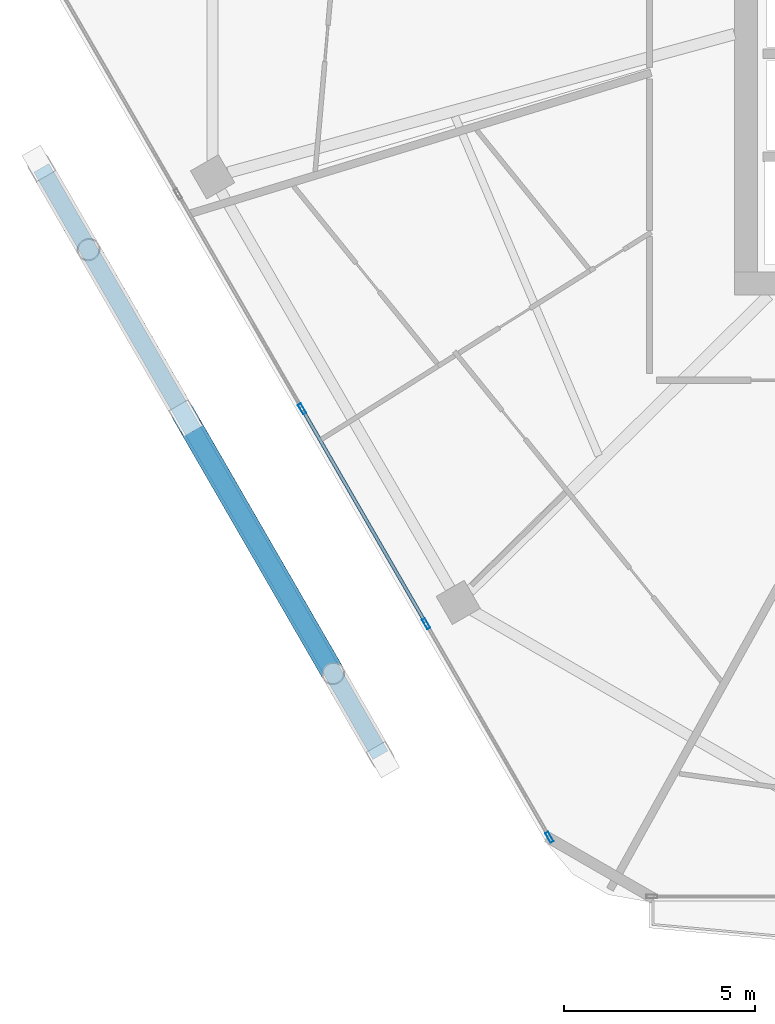
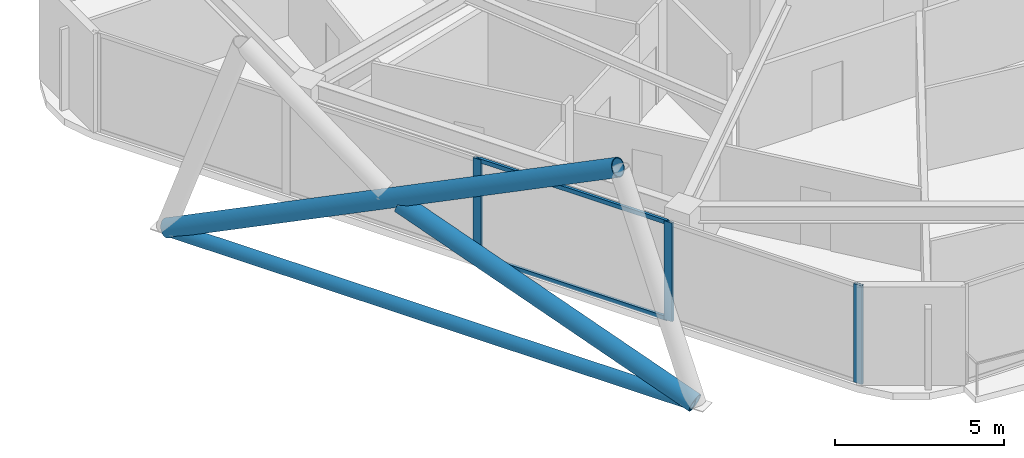
# One storey, part 2 of 27: 8 members, 1 element without a shape of its own.
"""IFC4 building model written with IfcOpenShell, lengths in metres."""

import ifcopenshell
import ifcopenshell.guid

model = None  # the IFC model being written
_history = None  # IfcOwnerHistory: only IFC2X3 demands one
_inside = {}  # id of a spatial element -> (the spatial element, [elements in it])
_under = {}  # id of a project, library or spatial element -> (it, [spatial elements below it])
_declared = {}  # id of a project -> (the project, [libraries it declares])
_typed = {}  # id of a type object -> (the type object, [elements of that type])
_made_of = {}  # id of a material, layer set ... -> (it, [elements and type objects made of it])


def new_model(schema):
    """Start an empty IFC model of exactly this schema.

    Asked for "IFC4X3", IfcOpenShell would pick the latest addendum, in which some entities
    have other attributes; the version numbers below select the first issue.
    IFC2X3 requires an IfcOwnerHistory on every rooted entity: one is made here for all.
    """
    global model, _history
    if schema == "IFC4X3":
        model = ifcopenshell.file(schema_version=(4, 3, 0, 0))
    else:
        model = ifcopenshell.file(schema=schema)
    _inside.clear()
    _under.clear()
    _declared.clear()
    _typed.clear()
    _made_of.clear()
    _history = None
    if model.schema == "IFC2X3":
        org = make("IfcOrganization", Name="unknown")
        user = make(
            "IfcPersonAndOrganization",
            ThePerson=make("IfcPerson", FamilyName="unknown"),
            TheOrganization=org,
        )
        app = make(
            "IfcApplication",
            ApplicationDeveloper=org,
            Version="unknown",
            ApplicationFullName="unknown",
            ApplicationIdentifier="unknown",
        )
        _history = make(
            "IfcOwnerHistory",
            OwningUser=user,
            OwningApplication=app,
            ChangeAction="ADDED",
            CreationDate=0,
        )
    return model


def make(cls, **values):
    """One entity of the class cls with the attributes given. An attribute that is None is left unset."""
    return model.create_entity(
        cls, **{name: value for name, value in values.items() if value is not None}
    )


def rooted(cls, **values):
    """An entity with a GlobalId (a new one), such as an element, a storey or a relation."""
    return make(cls, GlobalId=ifcopenshell.guid.new(), OwnerHistory=_history, **values)


def si_unit(unit_type, name, prefix=None):
    """IfcSIUnit, for example si_unit("LENGTHUNIT", "METRE", prefix="MILLI")."""
    return make("IfcSIUnit", UnitType=unit_type, Prefix=prefix, Name=name)


def assignment(units):
    """IfcUnitAssignment: the units of a project."""
    return None if units is None else make("IfcUnitAssignment", Units=units)


def point(xyz):
    """IfcCartesianPoint."""
    return None if xyz is None else make("IfcCartesianPoint", Coordinates=xyz)


def direction(xyz):
    """IfcDirection."""
    return None if xyz is None else make("IfcDirection", DirectionRatios=xyz)


def frame(location, z_axis=None, x_axis=None):
    """IfcAxis2Placement3D, a coordinate frame: its origin and axes. An axis left out is left unset."""
    return make(
        "IfcAxis2Placement3D",
        Location=point(location),
        Axis=direction(z_axis),
        RefDirection=direction(x_axis),
    )


def frame_2d(location, x_axis=None):
    """IfcAxis2Placement2D, a coordinate frame in the plane: its origin and x axis."""
    return make(
        "IfcAxis2Placement2D", Location=point(location), RefDirection=direction(x_axis)
    )


def origin():
    """The frame at (0, 0, 0) with its axes left unset."""
    return frame((0.0, 0.0, 0.0))


def origin_2d():
    """The frame at (0, 0) in the plane with its x axis left unset."""
    return frame_2d((0.0, 0.0))


def place(relative_to, where):
    """IfcLocalPlacement: puts the frame where relative to a parent placement (None: the world)."""
    return make(
        "IfcLocalPlacement", PlacementRelTo=relative_to, RelativePlacement=where
    )


def context(
    kind, dimensions, precision=None, world=None, true_north=None, identifier=None
):
    """IfcGeometricRepresentationContext, for example the 3D "Model" context."""
    return make(
        "IfcGeometricRepresentationContext",
        ContextIdentifier=identifier,
        ContextType=kind,
        CoordinateSpaceDimension=dimensions,
        Precision=precision,
        WorldCoordinateSystem=world,
        TrueNorth=true_north,
    )


def subcontext(parent, identifier, kind, view, scale=None):
    """IfcGeometricRepresentationSubContext, for example "Body" below "Model"."""
    return make(
        "IfcGeometricRepresentationSubContext",
        ContextIdentifier=identifier,
        ContextType=kind,
        ParentContext=parent,
        TargetScale=scale,
        TargetView=view,
    )


def project(units=None, contexts=None):
    """IfcProject with its units and contexts."""
    return rooted(
        "IfcProject",
        Name="project",
        RepresentationContexts=contexts,
        UnitsInContext=assignment(units),
    )


def spatial(cls, under=None, at=None, **own):
    """A site, building, storey or space (cls), placed at a placement, below another one or the project."""
    s = rooted(cls, ObjectPlacement=at, **own)
    if under is not None:
        _under.setdefault(under.id(), (under, []))[1].append(s)
    return s


def profile(cls, at=None, kind="AREA", **sizes):
    """A parametric profile (cls). Its sizes go by their IFC names, for example OverallWidth=200.0."""
    return make(cls, ProfileType=kind, Position=at, **sizes)


def hollow_rectangle(**sizes):
    """IfcRectangleHollowProfileDef."""
    return profile("IfcRectangleHollowProfileDef", **sizes)


def hollow_circle(**sizes):
    """IfcCircleHollowProfileDef."""
    return profile("IfcCircleHollowProfileDef", **sizes)


def extrude(swept, where, along, depth):
    """IfcExtrudedAreaSolid: the profile swept, set in the frame where, extruded along a direction by depth."""
    return make(
        "IfcExtrudedAreaSolid",
        SweptArea=swept,
        Position=where,
        ExtrudedDirection=direction(along),
        Depth=depth,
    )


def shape(context_of_items, identifier, shape_type, items):
    """IfcShapeRepresentation: the items that make up one representation, for example the "Body"."""
    return make(
        "IfcShapeRepresentation",
        ContextOfItems=context_of_items,
        RepresentationIdentifier=identifier,
        RepresentationType=shape_type,
        Items=items,
    )


def material(Name=None, Category=None):
    """IfcMaterial."""
    return make("IfcMaterial", Name=Name, Category=Category)


def material_profile(
    of_material, cross_section, Name=None, Category=None, Priority=None
):
    """IfcMaterialProfile: a cross section and its material."""
    return make(
        "IfcMaterialProfile",
        Name=Name,
        Material=of_material,
        Profile=cross_section,
        Priority=Priority,
        Category=Category,
    )


def profile_set(profiles, Name=None, composite=None):
    """IfcMaterialProfileSet."""
    return make(
        "IfcMaterialProfileSet",
        Name=Name,
        MaterialProfiles=profiles,
        CompositeProfile=composite,
    )


def made_of(thing, what):
    """Note that an element or type object is made of a material, layer set ...; save() writes the relation."""
    if what is not None:
        _made_of.setdefault(what.id(), (what, []))[1].append(thing)
    return thing


def type_object(cls, material=None, **own):
    """A type object (cls), such as IfcWallType, which elements share."""
    return made_of(rooted(cls, **own), material)


def element(
    cls,
    number,
    at=None,
    inside=None,
    cuts=None,
    type_object=None,
    material=None,
    context=None,
    identifier="Body",
    shape_type=None,
    held_by="IfcProductDefinitionShape",
    body=None,
    shapes=None,
    **own,
):
    """One element of the class cls, such as IfcWall. Its Tag is "e" and its number.

    at: its placement. inside: the storey or other place that contains it. cuts: it is an
    opening in that element (IfcRelVoidsElement). A single representation is given by context,
    identifier, shape_type and body (its items); several are given by shapes. held_by: the class
    of the entity that holds the representations. save() writes the other relations.
    """
    e = rooted(cls, Tag="e%d" % number, ObjectPlacement=at, **own)
    if body is not None:
        shapes = [shape(context, identifier, shape_type, body)]
    if shapes is not None:
        e.Representation = make(held_by, Representations=shapes)
    if inside is not None:
        _inside.setdefault(inside.id(), (inside, []))[1].append(e)
    if cuts is not None:
        rooted(
            "IfcRelVoidsElement", RelatingBuildingElement=cuts, RelatedOpeningElement=e
        )
    if type_object is not None:
        _typed.setdefault(type_object.id(), (type_object, []))[1].append(e)
    return made_of(e, material)


def aggregate(whole, parts):
    """IfcRelAggregates: a whole, such as a stair, and the parts it consists of."""
    return rooted("IfcRelAggregates", RelatingObject=whole, RelatedObjects=parts)


def save(model, path):
    """Write the relations noted so far, then the file.

    IfcRelAggregates (storeys below a building ...), IfcRelContainedInSpatialStructure (elements
    in a storey), IfcRelDefinesByType, IfcRelAssociatesMaterial and IfcRelDeclares: one each for
    every whole, place, type object, material and project.
    """
    for whole, parts in _under.values():
        aggregate(whole, parts)
    for where, things in _inside.values():
        rooted(
            "IfcRelContainedInSpatialStructure",
            RelatedElements=things,
            RelatingStructure=where,
        )
    for kind, things in _typed.values():
        rooted("IfcRelDefinesByType", RelatedObjects=things, RelatingType=kind)
    for what, things in _made_of.values():
        rooted("IfcRelAssociatesMaterial", RelatedObjects=things, RelatingMaterial=what)
    for by, libraries in _declared.values():
        rooted("IfcRelDeclares", RelatingContext=by, RelatedDefinitions=libraries)
    model.write(path)


model = new_model("IFC4")

# Units and contexts
model_context = context("Model", 3, precision=1e-05, world=origin(), true_north=direction((0.0, 1.0)))
body_context = subcontext(model_context, "Body", "Model", "MODEL_VIEW")
ifc_project = project(units=[si_unit("LENGTHUNIT", "METRE"), si_unit("AREAUNIT", "SQUARE_METRE"), si_unit("VOLUMEUNIT", "CUBIC_METRE"), si_unit("PLANEANGLEUNIT", "RADIAN"), si_unit("MASSUNIT", "GRAM", prefix="KILO")], contexts=[model_context])

# Site, building, storey
site_placement = place(None, origin())
site = spatial("IfcSite", under=ifc_project, at=site_placement, CompositionType="ELEMENT")
building_placement = place(site_placement, origin())
building = spatial("IfcBuilding", under=site, at=building_placement, Name="Zuhravey Tower", CompositionType="ELEMENT")
storey_placement = place(building_placement, frame((0.0, 0.0, 276.800048828125)))
storey = spatial("IfcBuildingStorey", under=building, at=storey_placement, Name="L70", CompositionType="ELEMENT", Elevation=276.800048828125)

# Curtain wall, members
ifc_material_1 = material(Name="Thermally broken anodised aluminium", Category="aluminium")
curtain_wall_type = type_object("IfcCurtainWallType", Name="Zone 3-4 High-Rise Curtain Wall CW4", PredefinedType="NOTDEFINED", material=ifc_material_1)
curtain_wall_placement = place(storey_placement, origin())
curtain_wall = element("IfcCurtainWall", 1, at=curtain_wall_placement, inside=storey, type_object=curtain_wall_type, Name="L70 CW4 CW-L70-F4-1", PredefinedType="NOTDEFINED")
ifc_material_2 = material(Name="Anodised aluminium", Category="aluminium")
ifc_material_profile_1 = material_profile(ifc_material_2, hollow_rectangle(XDim=0.090087890625, YDim=0.284912109375, WallThickness=0.0048828125, at=origin_2d()), Name="ALU-RHS-90x285x5")
ifc_profile_set_1 = profile_set([ifc_material_profile_1], Name="Anodised aluminium")
member_type_1 = type_object("IfcMemberType", Name="Curtain-Wall Mullion 90x180", PredefinedType="MULLION", material=ifc_profile_set_1)
member_1_placement = place(storey_placement, frame((20.34521484375, 7.98779296875, 0.0), z_axis=(0.0, 0.0, 1.0), x_axis=(-0.866024851021, -0.500000957414, 0.0)))
member_1 = element("IfcMember", 2, at=member_1_placement, type_object=member_type_1, Name="CW4 mullion 1", PredefinedType="MULLION", context=body_context, shape_type="SweptSolid", body=[
    extrude(hollow_rectangle(XDim=0.090087890625, YDim=0.284912109375, WallThickness=0.0048828125, at=origin_2d()), origin(), (0.0, 0.0, 1.0), 3.550048828125),
])
member_2_placement = place(storey_placement, frame((17.114501953125, 13.58349609375, 0.0), z_axis=(0.0, 0.0, 1.0), x_axis=(-0.866024851021, -0.500000957414, 0.0)))
member_2 = element("IfcMember", 3, at=member_2_placement, type_object=member_type_1, Name="CW4 mullion 2", PredefinedType="MULLION", context=body_context, shape_type="SweptSolid", body=[
    extrude(hollow_rectangle(XDim=0.090087890625, YDim=0.284912109375, WallThickness=0.0048828125, at=origin_2d()), origin(), (0.0, 0.0, 1.0), 3.550048828125),
])
member_3_placement = place(storey_placement, frame((13.861328125, 19.21826171875, 0.0), z_axis=(0.0, 0.0, 1.0), x_axis=(-0.866024851021, -0.500000957414, 0.0)))
member_3 = element("IfcMember", 4, at=member_3_placement, type_object=member_type_1, Name="CW4 mullion 3", PredefinedType="MULLION", context=body_context, shape_type="SweptSolid", body=[
    extrude(hollow_rectangle(XDim=0.090087890625, YDim=0.284912109375, WallThickness=0.0048828125, at=origin_2d()), origin(), (0.0, 0.0, 1.0), 3.550048828125),
])
ifc_material_profile_2 = material_profile(ifc_material_2, hollow_rectangle(XDim=0.090087890625, YDim=0.14990234375, WallThickness=0.0048828125, at=origin_2d()), Name="ALU-RHS-90x150x5")
ifc_profile_set_2 = profile_set([ifc_material_profile_2], Name="Anodised aluminium")
member_type_2 = type_object("IfcMemberType", Name="Curtain-Wall Transom 90x150", PredefinedType="USERDEFINED", material=ifc_profile_set_2)
member_4_placement = place(storey_placement, frame((17.092041015625, 13.62255859375, 0.044921875), z_axis=(-0.500014493347, 0.866017035885, 0.0), x_axis=(-0.866017035885, -0.500014493347, 0.0)))
member_4 = element("IfcMember", 5, at=member_4_placement, type_object=member_type_2, Name="CW4 transom 2.1", ObjectType="TRANSOM", PredefinedType="USERDEFINED", context=body_context, shape_type="SweptSolid", body=[
    extrude(hollow_rectangle(XDim=0.090087890625, YDim=0.14990234375, WallThickness=0.0048828125, at=origin_2d()), origin(), (0.0, 0.0, 1.0), 6.416259765625),
])
member_5_placement = place(storey_placement, frame((17.092041015625, 13.62255859375, 3.5048828125), z_axis=(-0.500014493347, 0.866017035885, 0.0), x_axis=(-0.866017035885, -0.500014493347, 0.0)))
member_5 = element("IfcMember", 6, at=member_5_placement, type_object=member_type_2, Name="CW4 transom 2.2", ObjectType="TRANSOM", PredefinedType="USERDEFINED", context=body_context, shape_type="SweptSolid", body=[
    extrude(hollow_rectangle(XDim=0.090087890625, YDim=0.14990234375, WallThickness=0.0048828125, at=origin_2d()), origin(), (0.0, 0.0, 1.0), 6.416259765625),
])
aggregate(curtain_wall, [member_1, member_2, member_3, member_4, member_5])

# Members
ifc_material_3 = material(Name="Steel SM355", Category="steel")
ifc_material_profile_3 = material_profile(ifc_material_3, hollow_circle(Radius=0.228515625, WallThickness=0.02197265625, at=origin_2d()), Name="CHS-457.2x22")
ifc_profile_set_3 = profile_set([ifc_material_profile_3], Name="Steel SM355")
member_type_3 = type_object("IfcMemberType", Name="Exoskeleton Ring Tie CHS457x22", PredefinedType="CHORD", material=ifc_profile_set_3)
member_6_placement = place(storey_placement, frame((7.026611328125, 25.536376953125, -0.464111328125), z_axis=(0.499995467921, -0.866028020366, 0.0), x_axis=(0.866028020366, 0.499995467921, 0.0)))
element("IfcMember", 7, at=member_6_placement, inside=storey, type_object=member_type_3, Name="L70 Exoskeleton Face 4 Tie EXR1", PredefinedType="CHORD", context=body_context, shape_type="SweptSolid", body=[
    extrude(hollow_circle(Radius=0.228515625, WallThickness=0.02197265625, at=origin_2d()), origin(), (0.0, 0.0, 1.0), 17.778076171875),
])
ifc_material_profile_4 = material_profile(ifc_material_3, hollow_circle(Radius=0.3046875, WallThickness=0.028076171875, at=origin_2d()), Name="CHS-609.6x28")
ifc_profile_set_4 = profile_set([ifc_material_profile_4], Name="Steel SM355")
member_type_4 = type_object("IfcMemberType", Name="Exoskeleton Zone 3 Diagrid CHS610x28", PredefinedType="BRACE", material=ifc_profile_set_4)
member_7_placement = place(storey_placement, frame((6.974853515625, 25.625732421875, -0.446044921875), z_axis=(0.44858715889, -0.776961798354, 0.441701171357), x_axis=(0.866021515814, 0.500006734102, 0.0)))
element("IfcMember", 8, at=member_7_placement, inside=storey, type_object=member_type_4, Name="L70 Face 4 Diagrid Brace 2", PredefinedType="BRACE", context=body_context, shape_type="SweptSolid", body=[
    extrude(hollow_circle(Radius=0.3046875, WallThickness=0.028076171875, at=origin_2d()), origin(), (0.0, 0.0, 1.0), 17.12451171875),
])
member_8_placement = place(storey_placement, frame((15.96630859375, 10.052001953125, -0.449951171875), z_axis=(-0.469309986719, 0.812868671103, 0.344953127111), x_axis=(-0.866025385035, -0.500000032475, 0.0)))
element("IfcMember", 9, at=member_8_placement, inside=storey, type_object=member_type_4, Name="L70 Face 4 Split Diagrid Brace 3A", PredefinedType="BRACE", context=body_context, shape_type="SweptSolid", body=[
    extrude(hollow_circle(Radius=0.3046875, WallThickness=0.028076171875, at=origin_2d()), origin(), (0.0, 0.0, 1.0), 10.679931640625),
])

save(model, "model.ifc")
